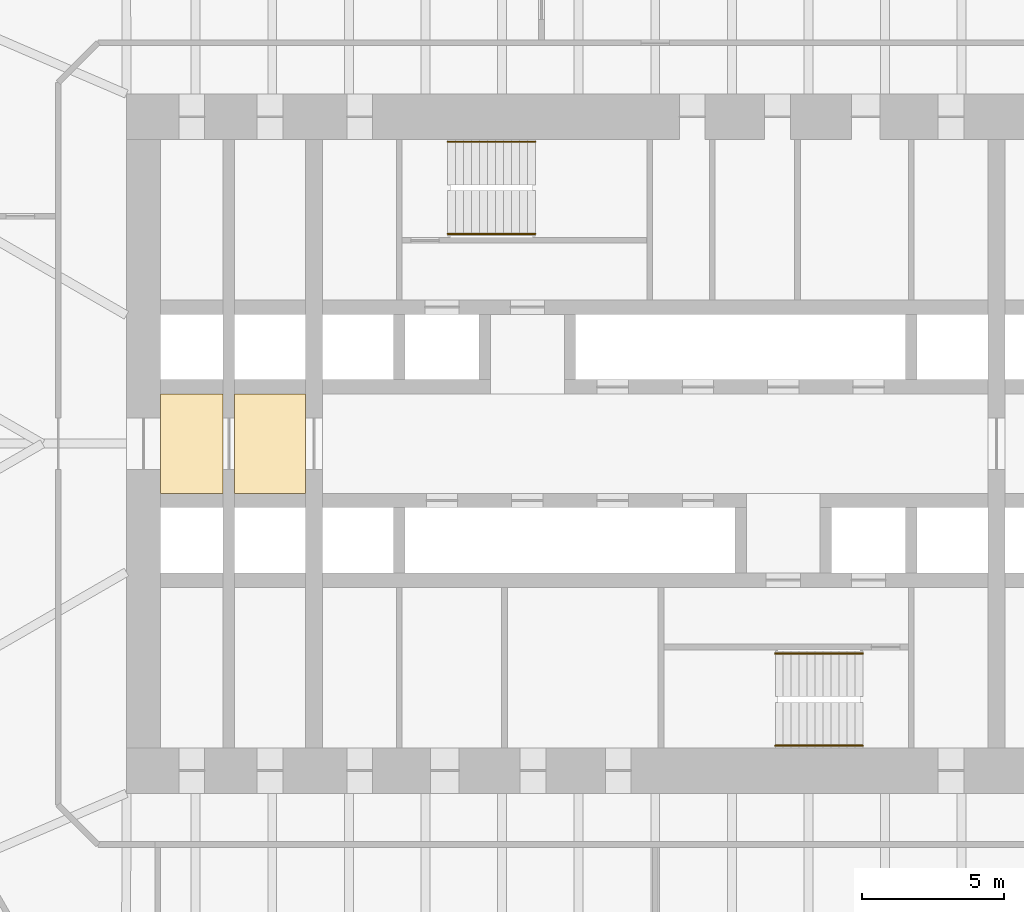
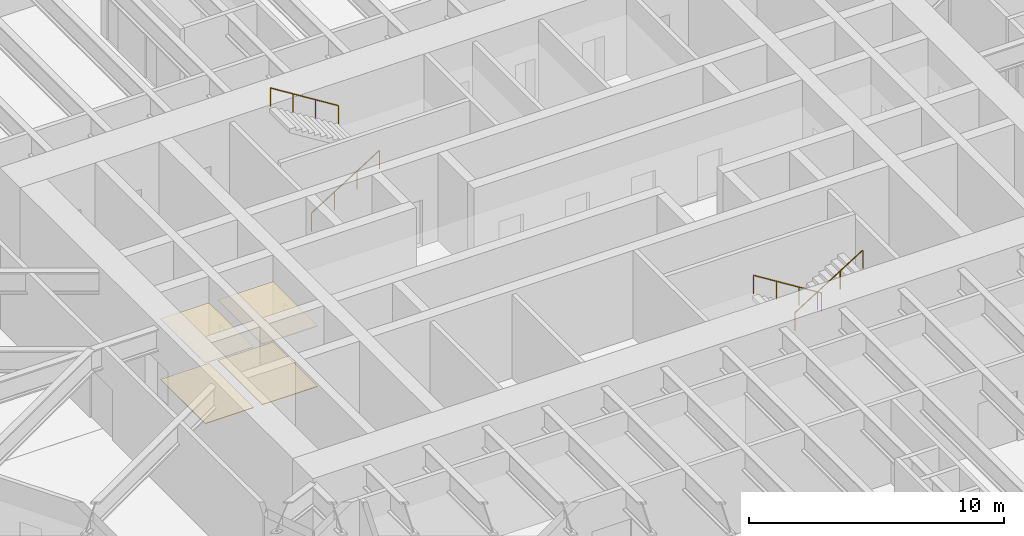
# One storey, part 22 of 24: 4 coverings, 4 railings.
"""IFC4 building model written with IfcOpenShell, lengths in metres."""

from ifc_helpers import new_model, si_unit, direction, frame, origin, origin_2d, place, context, subcontext, project, spatial, polyline, circle, outline, extrude, material, layer, layer_set, type_object, element, save


model = new_model("IFC4")

# Units and contexts
model_context = context("Model", 3, precision=1e-05, world=origin(), true_north=direction((0.0, 1.0)))
body_context = subcontext(model_context, "Body", "Model", "MODEL_VIEW")
ifc_project = project(units=[si_unit("LENGTHUNIT", "METRE"), si_unit("AREAUNIT", "SQUARE_METRE"), si_unit("VOLUMEUNIT", "CUBIC_METRE"), si_unit("PLANEANGLEUNIT", "RADIAN"), si_unit("MASSUNIT", "GRAM", prefix="KILO")], contexts=[model_context])

# Site, building, storey
site_placement = place(None, origin())
site = spatial("IfcSite", under=ifc_project, at=site_placement, CompositionType="ELEMENT")
building_placement = place(site_placement, origin())
building = spatial("IfcBuilding", under=site, at=building_placement, Name="Tarfa Lantern Tower", CompositionType="ELEMENT")
storey_placement = place(building_placement, frame((0.0, 0.0, 69.699951171875)))
storey = spatial("IfcBuildingStorey", under=building, at=storey_placement, Name="L15", CompositionType="ELEMENT", Elevation=69.699951171875)

# Coverings
ifc_material_1 = material(Name="Powder-coated aluminium panel", Category="aluminium")
ifc_layer_1 = layer(ifc_material_1, 0.030029296875)
ifc_layer_set_1 = layer_set([ifc_layer_1], Name="CL3 METAL PANEL CEILING 30")
covering_type_1 = type_object("IfcCoveringType", Name="CL3 METAL PANEL CEILING 30", PredefinedType="CEILING", material=ifc_layer_set_1)
covering_1_placement = place(storey_placement, frame((0.0, 0.0, 2.900146484375)))
element("IfcCovering", 1, at=covering_1_placement, inside=storey, type_object=covering_type_1, Name="Ceiling L15-01", PredefinedType="CEILING", context=body_context, shape_type="SweptSolid", body=[
    extrude(outline(polyline([(-17.39990234375, -1.75), (-15.199951171875, -1.75), (-15.199951171875, 1.75), (-17.39990234375, 1.75), (-17.39990234375, -1.75)])), origin(), (0.0, 0.0, 1.0), 0.02978515625),
])
covering_2_placement = place(storey_placement, frame((0.0, 0.0, 2.900146484375)))
element("IfcCovering", 2, at=covering_2_placement, inside=storey, type_object=covering_type_1, Name="Ceiling L15-02", PredefinedType="CEILING", context=body_context, shape_type="SweptSolid", body=[
    extrude(outline(polyline([(-14.800048828125, -1.75), (-12.300048828125, -1.75), (-12.300048828125, 1.75), (-14.800048828125, 1.75), (-14.800048828125, -1.75)])), origin(), (0.0, 0.0, 1.0), 0.02978515625),
])
ifc_material_2 = material(Name="Honed limestone flooring", Category="masonry")
ifc_layer_2 = layer(ifc_material_2, 0.030029296875)
ifc_layer_set_2 = layer_set([ifc_layer_2], Name="FL2 STONE FLOORING 30")
covering_type_2 = type_object("IfcCoveringType", Name="FL2 STONE FLOORING 30", PredefinedType="FLOORING", material=ifc_layer_set_2)
covering_3_placement = place(storey_placement, origin())
element("IfcCovering", 3, at=covering_3_placement, inside=storey, type_object=covering_type_2, Name="Floor finish L15-01", PredefinedType="FLOORING", context=body_context, shape_type="SweptSolid", body=[
    extrude(outline(polyline([(-17.39990234375, -1.75), (-15.199951171875, -1.75), (-15.199951171875, 1.75), (-17.39990234375, 1.75), (-17.39990234375, -1.75)])), origin(), (0.0, 0.0, 1.0), 0.030029296875),
])
covering_4_placement = place(storey_placement, origin())
element("IfcCovering", 4, at=covering_4_placement, inside=storey, type_object=covering_type_2, Name="Floor finish L15-02", PredefinedType="FLOORING", context=body_context, shape_type="SweptSolid", body=[
    extrude(outline(polyline([(-14.800048828125, -1.75), (-12.300048828125, -1.75), (-12.300048828125, 1.75), (-14.800048828125, 1.75), (-14.800048828125, -1.75)])), origin(), (0.0, 0.0, 1.0), 0.030029296875),
])

# Railings
ifc_material_3 = material(Name="Stainless steel", Category="steel")
railing_type = type_object("IfcRailingType", Name="HR1 HANDRAIL 900", PredefinedType="HANDRAIL", material=ifc_material_3)
railing_1_placement = place(storey_placement, frame((-7.300048828125, 7.3798828125, 0.175048828125)))
element("IfcRailing", 5, at=railing_1_placement, inside=storey, type_object=railing_type, Name="Handrail 1", PredefinedType="HANDRAIL", context=body_context, shape_type="SweptSolid", body=[
    extrude(circle(Radius=0.02392578125, at=origin_2d()), frame((0.0, 0.0, 0.8759765625), z_axis=(0.847998304005, 0.0, 0.529998940003), x_axis=(0.0, 1.0, 0.0)), (0.0, 0.0, 1.0), 3.632080078125),
    extrude(circle(Radius=0.02099609375, at=origin_2d()), frame((0.0, 0.0, 0.0), z_axis=(0.0, 0.0, 1.0), x_axis=(0.0, 1.0, 0.0)), (0.0, 0.0, 1.0), 0.851806640625),
    extrude(circle(Radius=0.02099609375, at=origin_2d()), frame((1.026611328125, 0.0, 0.6416015625), z_axis=(0.0, 0.0, 1.0), x_axis=(0.0, 1.0, 0.0)), (0.0, 0.0, 1.0), 0.851806640625),
    extrude(circle(Radius=0.02099609375, at=origin_2d()), frame((2.053466796875, 0.0, 1.283447265625), z_axis=(0.0, 0.0, 1.0), x_axis=(0.0, 1.0, 0.0)), (0.0, 0.0, 1.0), 0.851806640625),
    extrude(circle(Radius=0.02099609375, at=origin_2d()), frame((3.080078125, 0.0, 1.925048828125), z_axis=(0.0, 0.0, 1.0), x_axis=(0.0, 1.0, 0.0)), (0.0, 0.0, 1.0), 0.851806640625),
])
railing_2_placement = place(storey_placement, frame((-4.219970703125, 10.6201171875, 2.275146484375)))
element("IfcRailing", 6, at=railing_2_placement, inside=storey, type_object=railing_type, Name="Handrail 2", PredefinedType="HANDRAIL", context=body_context, shape_type="SweptSolid", body=[
    extrude(circle(Radius=0.02392578125, at=origin_2d()), frame((0.0, 0.0, 0.8759765625), z_axis=(-0.848028513186, 0.0, 0.529950602248), x_axis=(0.0, -1.0, 0.0)), (0.0, 0.0, 1.0), 3.632080078125),
    extrude(circle(Radius=0.02099609375, at=origin_2d()), frame((0.0, 0.0, 0.0), z_axis=(0.0, 0.0, 1.0), x_axis=(0.0, -1.0, 0.0)), (0.0, 0.0, 1.0), 0.851806640625),
    extrude(circle(Radius=0.02099609375, at=origin_2d()), frame((-1.026611328125, 0.0, 0.6416015625), z_axis=(0.0, 0.0, 1.0), x_axis=(0.0, -1.0, 0.0)), (0.0, 0.0, 1.0), 0.851806640625),
    extrude(circle(Radius=0.02099609375, at=origin_2d()), frame((-2.053466796875, 0.0, 1.283203125), z_axis=(0.0, 0.0, 1.0), x_axis=(0.0, -1.0, 0.0)), (0.0, 0.0, 1.0), 0.851806640625),
    extrude(circle(Radius=0.02099609375, at=origin_2d()), frame((-3.080078125, 0.0, 1.9248046875), z_axis=(0.0, 0.0, 1.0), x_axis=(0.0, -1.0, 0.0)), (0.0, 0.0, 1.0), 0.851806640625),
])
railing_3_placement = place(storey_placement, frame((7.300048828125, -7.3798828125, 0.175048828125)))
element("IfcRailing", 7, at=railing_3_placement, inside=storey, type_object=railing_type, Name="Handrail 1", PredefinedType="HANDRAIL", context=body_context, shape_type="SweptSolid", body=[
    extrude(circle(Radius=0.02392578125, at=origin_2d()), frame((0.0, 0.0, 0.8759765625), z_axis=(-0.847998304005, 0.0, 0.529998940003), x_axis=(0.0, -1.0, 0.0)), (0.0, 0.0, 1.0), 3.632080078125),
    extrude(circle(Radius=0.02099609375, at=origin_2d()), frame((0.0, 0.0, 0.0), z_axis=(0.0, 0.0, 1.0), x_axis=(0.0, -1.0, 0.0)), (0.0, 0.0, 1.0), 0.851806640625),
    extrude(circle(Radius=0.02099609375, at=origin_2d()), frame((-1.026611328125, 0.0, 0.6416015625), z_axis=(0.0, 0.0, 1.0), x_axis=(0.0, -1.0, 0.0)), (0.0, 0.0, 1.0), 0.851806640625),
    extrude(circle(Radius=0.02099609375, at=origin_2d()), frame((-2.053466796875, 0.0, 1.283447265625), z_axis=(0.0, 0.0, 1.0), x_axis=(0.0, -1.0, 0.0)), (0.0, 0.0, 1.0), 0.851806640625),
    extrude(circle(Radius=0.02099609375, at=origin_2d()), frame((-3.080078125, 0.0, 1.925048828125), z_axis=(0.0, 0.0, 1.0), x_axis=(0.0, -1.0, 0.0)), (0.0, 0.0, 1.0), 0.851806640625),
])
railing_4_placement = place(storey_placement, frame((4.219970703125, -10.6201171875, 2.275146484375)))
element("IfcRailing", 8, at=railing_4_placement, inside=storey, type_object=railing_type, Name="Handrail 2", PredefinedType="HANDRAIL", context=body_context, shape_type="SweptSolid", body=[
    extrude(circle(Radius=0.02392578125, at=origin_2d()), frame((0.0, 0.0, 0.8759765625), z_axis=(0.848028513186, 0.0, 0.529950602248), x_axis=(0.0, 1.0, 0.0)), (0.0, 0.0, 1.0), 3.632080078125),
    extrude(circle(Radius=0.02099609375, at=origin_2d()), frame((0.0, 0.0, 0.0), z_axis=(0.0, 0.0, 1.0), x_axis=(0.0, 1.0, 0.0)), (0.0, 0.0, 1.0), 0.851806640625),
    extrude(circle(Radius=0.02099609375, at=origin_2d()), frame((1.026611328125, 0.0, 0.6416015625), z_axis=(0.0, 0.0, 1.0), x_axis=(0.0, 1.0, 0.0)), (0.0, 0.0, 1.0), 0.851806640625),
    extrude(circle(Radius=0.02099609375, at=origin_2d()), frame((2.053466796875, 0.0, 1.283203125), z_axis=(0.0, 0.0, 1.0), x_axis=(0.0, 1.0, 0.0)), (0.0, 0.0, 1.0), 0.851806640625),
    extrude(circle(Radius=0.02099609375, at=origin_2d()), frame((3.080078125, 0.0, 1.9248046875), z_axis=(0.0, 0.0, 1.0), x_axis=(0.0, 1.0, 0.0)), (0.0, 0.0, 1.0), 0.851806640625),
])

save(model, "model.ifc")
